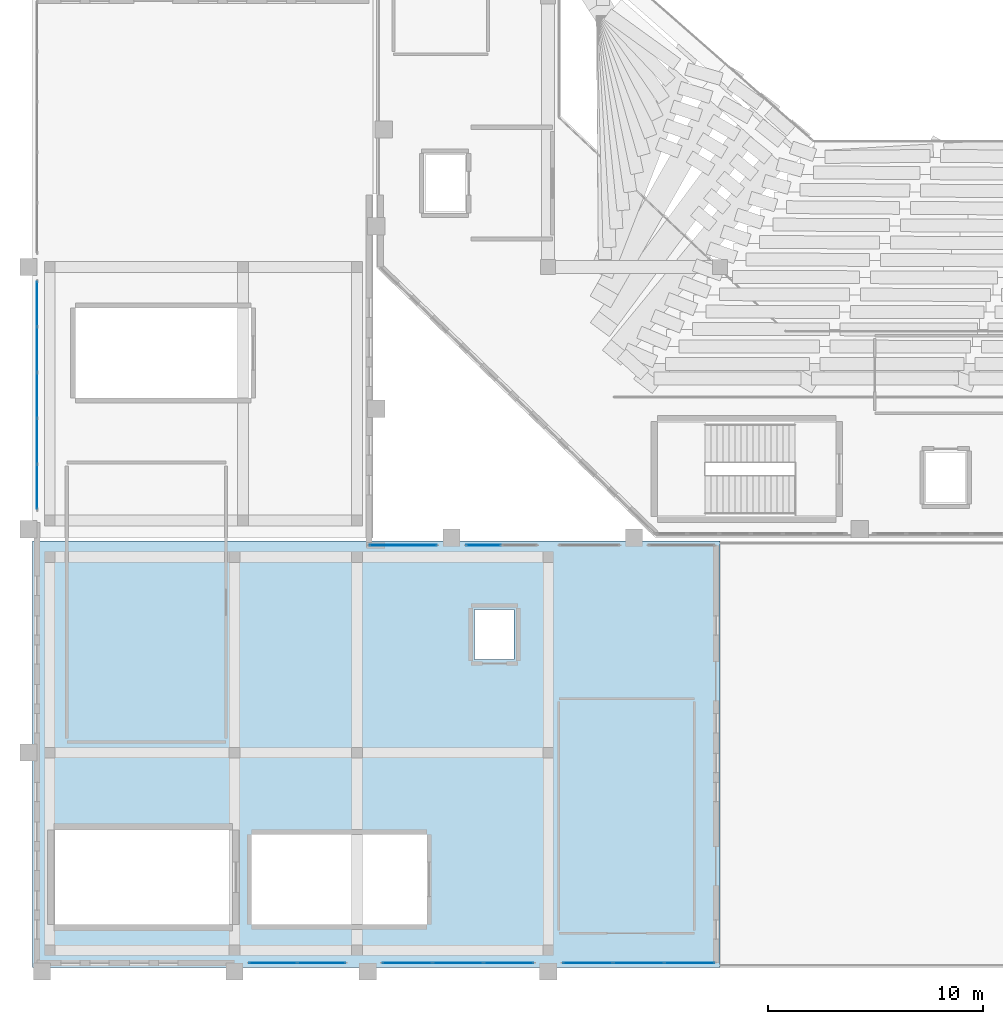
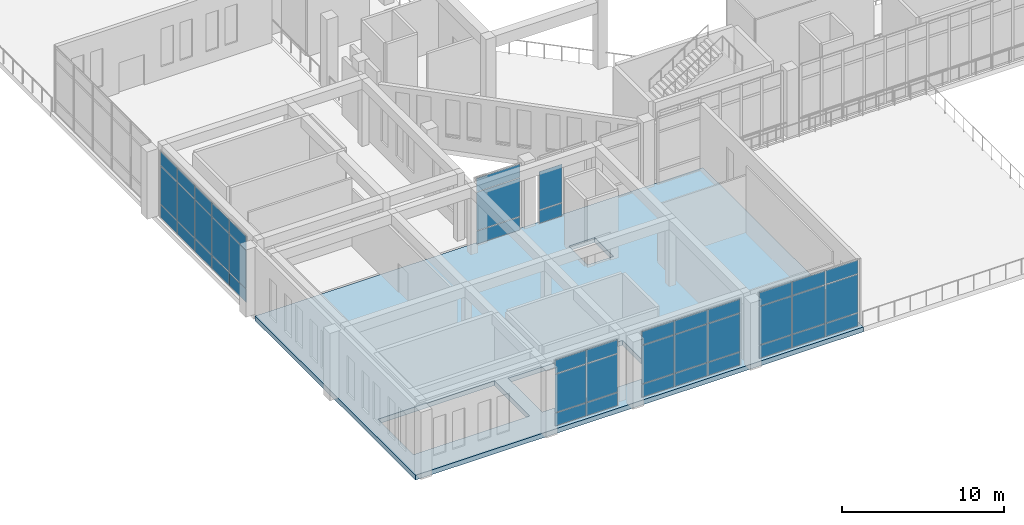
# One storey, part 30 of 55: 44 plates, 1 slab, 6 elements without a shape of their own.
"""IFC4 building model written with IfcOpenShell, lengths in metres."""

import ifcopenshell
import ifcopenshell.guid

model = None  # the IFC model being written
_history = None  # IfcOwnerHistory: only IFC2X3 demands one
_inside = {}  # id of a spatial element -> (the spatial element, [elements in it])
_under = {}  # id of a project, library or spatial element -> (it, [spatial elements below it])
_declared = {}  # id of a project -> (the project, [libraries it declares])
_typed = {}  # id of a type object -> (the type object, [elements of that type])
_made_of = {}  # id of a material, layer set ... -> (it, [elements and type objects made of it])


def new_model(schema):
    """Start an empty IFC model of exactly this schema.

    Asked for "IFC4X3", IfcOpenShell would pick the latest addendum, in which some entities
    have other attributes; the version numbers below select the first issue.
    IFC2X3 requires an IfcOwnerHistory on every rooted entity: one is made here for all.
    """
    global model, _history
    if schema == "IFC4X3":
        model = ifcopenshell.file(schema_version=(4, 3, 0, 0))
    else:
        model = ifcopenshell.file(schema=schema)
    _inside.clear()
    _under.clear()
    _declared.clear()
    _typed.clear()
    _made_of.clear()
    _history = None
    if model.schema == "IFC2X3":
        org = make("IfcOrganization", Name="unknown")
        user = make(
            "IfcPersonAndOrganization",
            ThePerson=make("IfcPerson", FamilyName="unknown"),
            TheOrganization=org,
        )
        app = make(
            "IfcApplication",
            ApplicationDeveloper=org,
            Version="unknown",
            ApplicationFullName="unknown",
            ApplicationIdentifier="unknown",
        )
        _history = make(
            "IfcOwnerHistory",
            OwningUser=user,
            OwningApplication=app,
            ChangeAction="ADDED",
            CreationDate=0,
        )
    return model


def make(cls, **values):
    """One entity of the class cls with the attributes given. An attribute that is None is left unset."""
    return model.create_entity(
        cls, **{name: value for name, value in values.items() if value is not None}
    )


def rooted(cls, **values):
    """An entity with a GlobalId (a new one), such as an element, a storey or a relation."""
    return make(cls, GlobalId=ifcopenshell.guid.new(), OwnerHistory=_history, **values)


def si_unit(unit_type, name, prefix=None):
    """IfcSIUnit, for example si_unit("LENGTHUNIT", "METRE", prefix="MILLI")."""
    return make("IfcSIUnit", UnitType=unit_type, Prefix=prefix, Name=name)


def derived_unit(unit_type, elements):
    """IfcDerivedUnit: a product of units, each with its exponent."""
    return make(
        "IfcDerivedUnit",
        Elements=[
            make("IfcDerivedUnitElement", Unit=unit, Exponent=power)
            for unit, power in elements
        ],
        UnitType=unit_type,
    )


def assignment(units):
    """IfcUnitAssignment: the units of a project."""
    return None if units is None else make("IfcUnitAssignment", Units=units)


def point(xyz):
    """IfcCartesianPoint."""
    return None if xyz is None else make("IfcCartesianPoint", Coordinates=xyz)


def direction(xyz):
    """IfcDirection."""
    return None if xyz is None else make("IfcDirection", DirectionRatios=xyz)


def frame(location, z_axis=None, x_axis=None):
    """IfcAxis2Placement3D, a coordinate frame: its origin and axes. An axis left out is left unset."""
    return make(
        "IfcAxis2Placement3D",
        Location=point(location),
        Axis=direction(z_axis),
        RefDirection=direction(x_axis),
    )


def frame_2d(location, x_axis=None):
    """IfcAxis2Placement2D, a coordinate frame in the plane: its origin and x axis."""
    return make(
        "IfcAxis2Placement2D", Location=point(location), RefDirection=direction(x_axis)
    )


def origin():
    """The frame at (0, 0, 0) with its axes left unset."""
    return frame((0.0, 0.0, 0.0))


def origin_2d():
    """The frame at (0, 0) in the plane with its x axis left unset."""
    return frame_2d((0.0, 0.0))


def place(relative_to, where):
    """IfcLocalPlacement: puts the frame where relative to a parent placement (None: the world)."""
    return make(
        "IfcLocalPlacement", PlacementRelTo=relative_to, RelativePlacement=where
    )


def context(
    kind, dimensions, precision=None, world=None, true_north=None, identifier=None
):
    """IfcGeometricRepresentationContext, for example the 3D "Model" context."""
    return make(
        "IfcGeometricRepresentationContext",
        ContextIdentifier=identifier,
        ContextType=kind,
        CoordinateSpaceDimension=dimensions,
        Precision=precision,
        WorldCoordinateSystem=world,
        TrueNorth=true_north,
    )


def subcontext(parent, identifier, kind, view, scale=None):
    """IfcGeometricRepresentationSubContext, for example "Body" below "Model"."""
    return make(
        "IfcGeometricRepresentationSubContext",
        ContextIdentifier=identifier,
        ContextType=kind,
        ParentContext=parent,
        TargetScale=scale,
        TargetView=view,
    )


def project(units=None, contexts=None):
    """IfcProject with its units and contexts."""
    return rooted(
        "IfcProject",
        Name="project",
        RepresentationContexts=contexts,
        UnitsInContext=assignment(units),
    )


def spatial(cls, under=None, at=None, **own):
    """A site, building, storey or space (cls), placed at a placement, below another one or the project."""
    s = rooted(cls, ObjectPlacement=at, **own)
    if under is not None:
        _under.setdefault(under.id(), (under, []))[1].append(s)
    return s


def polyline(points):
    """IfcPolyline through the points."""
    return make("IfcPolyline", Points=[point(p) for p in points])


def profile(cls, at=None, kind="AREA", **sizes):
    """A parametric profile (cls). Its sizes go by their IFC names, for example OverallWidth=200.0."""
    return make(cls, ProfileType=kind, Position=at, **sizes)


def rectangle(**sizes):
    """IfcRectangleProfileDef."""
    return profile("IfcRectangleProfileDef", **sizes)


def outline(outer, holes=None, kind="AREA"):
    """IfcArbitraryClosedProfileDef: a profile drawn as a closed curve; with holes, ...WithVoids."""
    if holes is None:
        return make("IfcArbitraryClosedProfileDef", ProfileType=kind, OuterCurve=outer)
    return make(
        "IfcArbitraryProfileDefWithVoids",
        ProfileType=kind,
        OuterCurve=outer,
        InnerCurves=holes,
    )


def extrude(swept, where, along, depth):
    """IfcExtrudedAreaSolid: the profile swept, set in the frame where, extruded along a direction by depth."""
    return make(
        "IfcExtrudedAreaSolid",
        SweptArea=swept,
        Position=where,
        ExtrudedDirection=direction(along),
        Depth=depth,
    )


def shape(context_of_items, identifier, shape_type, items):
    """IfcShapeRepresentation: the items that make up one representation, for example the "Body"."""
    return make(
        "IfcShapeRepresentation",
        ContextOfItems=context_of_items,
        RepresentationIdentifier=identifier,
        RepresentationType=shape_type,
        Items=items,
    )


def material(Name=None, Category=None):
    """IfcMaterial."""
    return make("IfcMaterial", Name=Name, Category=Category)


def layer(
    of_material, thickness, ventilated=None, Name=None, Category=None, Priority=None
):
    """IfcMaterialLayer: one layer of a wall or slab, of a material (None: an air gap)."""
    return make(
        "IfcMaterialLayer",
        Material=of_material,
        LayerThickness=thickness,
        IsVentilated=ventilated,
        Name=Name,
        Category=Category,
        Priority=Priority,
    )


def layer_set(layers, Name=None):
    """IfcMaterialLayerSet."""
    return make("IfcMaterialLayerSet", MaterialLayers=layers, LayerSetName=Name)


def made_of(thing, what):
    """Note that an element or type object is made of a material, layer set ...; save() writes the relation."""
    if what is not None:
        _made_of.setdefault(what.id(), (what, []))[1].append(thing)
    return thing


def type_object(cls, material=None, **own):
    """A type object (cls), such as IfcWallType, which elements share."""
    return made_of(rooted(cls, **own), material)


def element(
    cls,
    number,
    at=None,
    inside=None,
    cuts=None,
    type_object=None,
    material=None,
    context=None,
    identifier="Body",
    shape_type=None,
    held_by="IfcProductDefinitionShape",
    body=None,
    shapes=None,
    **own,
):
    """One element of the class cls, such as IfcWall. Its Tag is "e" and its number.

    at: its placement. inside: the storey or other place that contains it. cuts: it is an
    opening in that element (IfcRelVoidsElement). A single representation is given by context,
    identifier, shape_type and body (its items); several are given by shapes. held_by: the class
    of the entity that holds the representations. save() writes the other relations.
    """
    e = rooted(cls, Tag="e%d" % number, ObjectPlacement=at, **own)
    if body is not None:
        shapes = [shape(context, identifier, shape_type, body)]
    if shapes is not None:
        e.Representation = make(held_by, Representations=shapes)
    if inside is not None:
        _inside.setdefault(inside.id(), (inside, []))[1].append(e)
    if cuts is not None:
        rooted(
            "IfcRelVoidsElement", RelatingBuildingElement=cuts, RelatedOpeningElement=e
        )
    if type_object is not None:
        _typed.setdefault(type_object.id(), (type_object, []))[1].append(e)
    return made_of(e, material)


def aggregate(whole, parts):
    """IfcRelAggregates: a whole, such as a stair, and the parts it consists of."""
    return rooted("IfcRelAggregates", RelatingObject=whole, RelatedObjects=parts)


def save(model, path):
    """Write the relations noted so far, then the file.

    IfcRelAggregates (storeys below a building ...), IfcRelContainedInSpatialStructure (elements
    in a storey), IfcRelDefinesByType, IfcRelAssociatesMaterial and IfcRelDeclares: one each for
    every whole, place, type object, material and project.
    """
    for whole, parts in _under.values():
        aggregate(whole, parts)
    for where, things in _inside.values():
        rooted(
            "IfcRelContainedInSpatialStructure",
            RelatedElements=things,
            RelatingStructure=where,
        )
    for kind, things in _typed.values():
        rooted("IfcRelDefinesByType", RelatedObjects=things, RelatingType=kind)
    for what, things in _made_of.values():
        rooted("IfcRelAssociatesMaterial", RelatedObjects=things, RelatingMaterial=what)
    for by, libraries in _declared.values():
        rooted("IfcRelDeclares", RelatingContext=by, RelatedDefinitions=libraries)
    model.write(path)


model = new_model("IFC4")

# Units and contexts
model_context = context("Model", 3, precision=1e-05, world=origin(), true_north=direction((0.0, 1.0)))
body_context = subcontext(model_context, "Body", "Model", "MODEL_VIEW")
ifc_project = project(units=[si_unit("LENGTHUNIT", "METRE"), si_unit("AREAUNIT", "SQUARE_METRE"), si_unit("VOLUMEUNIT", "CUBIC_METRE"), si_unit("PLANEANGLEUNIT", "RADIAN"), si_unit("MASSUNIT", "GRAM", prefix="KILO"), derived_unit("THERMALTRANSMITTANCEUNIT", [(si_unit("MASSUNIT", "GRAM", prefix="KILO"), 1), (si_unit("TIMEUNIT", "SECOND"), -3), (si_unit("THERMODYNAMICTEMPERATUREUNIT", "KELVIN"), -1)])], contexts=[model_context])

# Site, building, storey
site_placement = place(None, origin())
site = spatial("IfcSite", under=ifc_project, at=site_placement, CompositionType="ELEMENT")
building_placement = place(site_placement, origin())
building = spatial("IfcBuilding", under=site, at=building_placement, Name="Valcora Ridge Arena", CompositionType="ELEMENT")
storey_placement = place(building_placement, frame((0.0, 0.0, 21.0)))
storey = spatial("IfcBuildingStorey", under=building, at=storey_placement, Name="L04", CompositionType="ELEMENT", Elevation=21.0)

# Curtain wall, plates
ifc_material_1 = material(Name="Anodised dark bronze architectural aluminium 6063-T6", Category="aluminium")
ifc_layer_1 = layer(ifc_material_1, 0.14990234375, Name="Anodised dark bronze architectural aluminium 6063-T6")
ifc_layer_set_1 = layer_set([ifc_layer_1], Name="Anodised dark bronze architectural aluminium 6063-T6")
curtain_wall_type_1 = type_object("IfcCurtainWallType", Name="TY-CURTAINWALL-CW-V4-CLUB-034X51", PredefinedType="NOTDEFINED", material=ifc_layer_set_1)
curtain_wall_1_placement = place(storey_placement, origin())
curtain_wall_1 = element("IfcCurtainWall", 1, at=curtain_wall_1_placement, inside=storey, type_object=curtain_wall_type_1, Name="CW-V4-CLUB-034X51 CW-0301", PredefinedType="NOTDEFINED")
ifc_material_2 = material(Name="Low-iron solar-control double glazing SHGC 0.28", Category="glass")
ifc_layer_2 = layer(ifc_material_2, 0.028076171875, Name="Low-iron solar-control double glazing SHGC 0.28")
ifc_layer_set_2 = layer_set([ifc_layer_2], Name="Low-iron solar-control double glazing SHGC 0.28")
plate_type_1 = type_object("IfcPlateType", Name="TY-PLT-CWP-1610X0975", PredefinedType="CURTAIN_PANEL", material=ifc_layer_set_2)
plate_1_placement = place(storey_placement, frame((20.9951171875, 19.64990234375, 0.050048828125), z_axis=(0.0, 0.0, 1.0), x_axis=(1.0, 0.0, 0.0)))
plate_1 = element("IfcPlate", 2, at=plate_1_placement, type_object=plate_type_1, Name="CW-0301/P00-00", PredefinedType="CURTAIN_PANEL", context=body_context, shape_type="SweptSolid", body=[
    extrude(rectangle(XDim=1.610107421875, YDim=0.028076171875, at=origin_2d()), origin(), (0.0, 0.0, 1.0), 0.97509765625),
])
ifc_layer_3 = layer(ifc_material_2, 0.028076171875, Name="Low-iron solar-control double glazing SHGC 0.28")
ifc_layer_set_3 = layer_set([ifc_layer_3], Name="Low-iron solar-control double glazing SHGC 0.28")
plate_type_2 = type_object("IfcPlateType", Name="TY-PLT-CWP-1610X2880", PredefinedType="CURTAIN_PANEL", material=ifc_layer_set_3)
plate_2_placement = place(storey_placement, frame((20.9951171875, 19.64990234375, 1.074951171875), z_axis=(0.0, 0.0, 1.0), x_axis=(1.0, 0.0, 0.0)))
plate_2 = element("IfcPlate", 3, at=plate_2_placement, type_object=plate_type_2, Name="CW-0301/P00-01", PredefinedType="CURTAIN_PANEL", context=body_context, shape_type="SweptSolid", body=[
    extrude(rectangle(XDim=1.610107421875, YDim=0.028076171875, at=origin_2d()), origin(), (0.0, 0.0, 1.0), 2.8798828125),
])
aggregate(curtain_wall_1, [plate_1, plate_2])

ifc_layer_4 = layer(ifc_material_1, 0.14990234375, Name="Anodised dark bronze architectural aluminium 6063-T6")
ifc_layer_set_4 = layer_set([ifc_layer_4], Name="Anodised dark bronze architectural aluminium 6063-T6")
curtain_wall_type_2 = type_object("IfcCurtainWallType", Name="TY-CURTAINWALL-CW-V4-CLUB-107X51", PredefinedType="NOTDEFINED", material=ifc_layer_set_4)
curtain_wall_2_placement = place(storey_placement, origin())
curtain_wall_2 = element("IfcCurtainWall", 4, at=curtain_wall_2_placement, inside=storey, type_object=curtain_wall_type_2, Name="CW-V4-CLUB-107X51 CW-0304", PredefinedType="NOTDEFINED")
ifc_layer_5 = layer(ifc_material_2, 0.028076171875, Name="Low-iron solar-control double glazing SHGC 0.28")
ifc_layer_set_5 = layer_set([ifc_layer_5], Name="Low-iron solar-control double glazing SHGC 0.28")
plate_type_3 = type_object("IfcPlateType", Name="TY-PLT-CWP-2059X0975", PredefinedType="CURTAIN_PANEL", material=ifc_layer_set_5)
plate_3_placement = place(storey_placement, frame((0.219970703125, 22.369384765625, 0.050048828125), z_axis=(0.0, 0.0, 1.0), x_axis=(0.0, 1.0, 0.0)))
plate_3 = element("IfcPlate", 5, at=plate_3_placement, type_object=plate_type_3, Name="CW-0304/P00-00", PredefinedType="CURTAIN_PANEL", context=body_context, shape_type="SweptSolid", body=[
    extrude(rectangle(XDim=2.05908203125, YDim=0.028076171875, at=origin_2d()), origin(), (0.0, 0.0, 1.0), 0.97509765625),
])
plate_4_placement = place(storey_placement, frame((0.219970703125, 30.880615234375, 0.050048828125), z_axis=(0.0, 0.0, 1.0), x_axis=(0.0, 1.0, 0.0)))
plate_4 = element("IfcPlate", 6, at=plate_4_placement, type_object=plate_type_3, Name="CW-0304/P04-00", PredefinedType="CURTAIN_PANEL", context=body_context, shape_type="SweptSolid", body=[
    extrude(rectangle(XDim=2.05908203125, YDim=0.028076171875, at=origin_2d()), origin(), (0.0, 0.0, 1.0), 0.97509765625),
])
ifc_layer_6 = layer(ifc_material_2, 0.028076171875, Name="Low-iron solar-control double glazing SHGC 0.28")
ifc_layer_set_6 = layer_set([ifc_layer_6], Name="Low-iron solar-control double glazing SHGC 0.28")
plate_type_4 = type_object("IfcPlateType", Name="TY-PLT-CWP-2059X1025", PredefinedType="CURTAIN_PANEL", material=ifc_layer_set_6)
plate_5_placement = place(storey_placement, frame((0.219970703125, 22.369384765625, 4.005126953125), z_axis=(0.0, 0.0, 1.0), x_axis=(0.0, 1.0, 0.0)))
plate_5 = element("IfcPlate", 7, at=plate_5_placement, type_object=plate_type_4, Name="CW-0304/P00-02", PredefinedType="CURTAIN_PANEL", context=body_context, shape_type="SweptSolid", body=[
    extrude(rectangle(XDim=2.05908203125, YDim=0.028076171875, at=origin_2d()), origin(), (0.0, 0.0, 1.0), 1.02490234375),
])
plate_6_placement = place(storey_placement, frame((0.219970703125, 30.880615234375, 4.005126953125), z_axis=(0.0, 0.0, 1.0), x_axis=(0.0, 1.0, 0.0)))
plate_6 = element("IfcPlate", 8, at=plate_6_placement, type_object=plate_type_4, Name="CW-0304/P04-02", PredefinedType="CURTAIN_PANEL", context=body_context, shape_type="SweptSolid", body=[
    extrude(rectangle(XDim=2.05908203125, YDim=0.028076171875, at=origin_2d()), origin(), (0.0, 0.0, 1.0), 1.02490234375),
])
ifc_layer_7 = layer(ifc_material_2, 0.028076171875, Name="Low-iron solar-control double glazing SHGC 0.28")
ifc_layer_set_7 = layer_set([ifc_layer_7], Name="Low-iron solar-control double glazing SHGC 0.28")
plate_type_5 = type_object("IfcPlateType", Name="TY-PLT-CWP-2059X2880", PredefinedType="CURTAIN_PANEL", material=ifc_layer_set_7)
plate_7_placement = place(storey_placement, frame((0.219970703125, 22.369384765625, 1.074951171875), z_axis=(0.0, 0.0, 1.0), x_axis=(0.0, 1.0, 0.0)))
plate_7 = element("IfcPlate", 9, at=plate_7_placement, type_object=plate_type_5, Name="CW-0304/P00-01", PredefinedType="CURTAIN_PANEL", context=body_context, shape_type="SweptSolid", body=[
    extrude(rectangle(XDim=2.05908203125, YDim=0.028076171875, at=origin_2d()), origin(), (0.0, 0.0, 1.0), 2.8798828125),
])
plate_8_placement = place(storey_placement, frame((0.219970703125, 30.880615234375, 1.074951171875), z_axis=(0.0, 0.0, 1.0), x_axis=(0.0, 1.0, 0.0)))
plate_8 = element("IfcPlate", 10, at=plate_8_placement, type_object=plate_type_5, Name="CW-0304/P04-01", PredefinedType="CURTAIN_PANEL", context=body_context, shape_type="SweptSolid", body=[
    extrude(rectangle(XDim=2.05908203125, YDim=0.028076171875, at=origin_2d()), origin(), (0.0, 0.0, 1.0), 2.8798828125),
])
ifc_layer_8 = layer(ifc_material_2, 0.028076171875, Name="Low-iron solar-control double glazing SHGC 0.28")
ifc_layer_set_8 = layer_set([ifc_layer_8], Name="Low-iron solar-control double glazing SHGC 0.28")
plate_type_6 = type_object("IfcPlateType", Name="TY-PLT-CWP-2084X0975", PredefinedType="CURTAIN_PANEL", material=ifc_layer_set_8)
plate_9_placement = place(storey_placement, frame((0.219970703125, 24.490966796875, 0.050048828125), z_axis=(0.0, 0.0, 1.0), x_axis=(0.0, 1.0, 0.0)))
plate_9 = element("IfcPlate", 11, at=plate_9_placement, type_object=plate_type_6, Name="CW-0304/P01-00", PredefinedType="CURTAIN_PANEL", context=body_context, shape_type="SweptSolid", body=[
    extrude(rectangle(XDim=2.083984375, YDim=0.028076171875, at=origin_2d()), origin(), (0.0, 0.0, 1.0), 0.97509765625),
])
plate_10_placement = place(storey_placement, frame((0.219970703125, 26.625, 0.050048828125), z_axis=(0.0, 0.0, 1.0), x_axis=(0.0, 1.0, 0.0)))
plate_10 = element("IfcPlate", 12, at=plate_10_placement, type_object=plate_type_6, Name="CW-0304/P02-00", PredefinedType="CURTAIN_PANEL", context=body_context, shape_type="SweptSolid", body=[
    extrude(rectangle(XDim=2.083984375, YDim=0.028076171875, at=origin_2d()), origin(), (0.0, 0.0, 1.0), 0.97509765625),
])
plate_11_placement = place(storey_placement, frame((0.219970703125, 28.759033203125, 0.050048828125), z_axis=(0.0, 0.0, 1.0), x_axis=(0.0, 1.0, 0.0)))
plate_11 = element("IfcPlate", 13, at=plate_11_placement, type_object=plate_type_6, Name="CW-0304/P03-00", PredefinedType="CURTAIN_PANEL", context=body_context, shape_type="SweptSolid", body=[
    extrude(rectangle(XDim=2.083984375, YDim=0.028076171875, at=origin_2d()), origin(), (0.0, 0.0, 1.0), 0.97509765625),
])
ifc_layer_9 = layer(ifc_material_2, 0.028076171875, Name="Low-iron solar-control double glazing SHGC 0.28")
ifc_layer_set_9 = layer_set([ifc_layer_9], Name="Low-iron solar-control double glazing SHGC 0.28")
plate_type_7 = type_object("IfcPlateType", Name="TY-PLT-CWP-2084X1025", PredefinedType="CURTAIN_PANEL", material=ifc_layer_set_9)
plate_12_placement = place(storey_placement, frame((0.219970703125, 24.490966796875, 4.005126953125), z_axis=(0.0, 0.0, 1.0), x_axis=(0.0, 1.0, 0.0)))
plate_12 = element("IfcPlate", 14, at=plate_12_placement, type_object=plate_type_7, Name="CW-0304/P01-02", PredefinedType="CURTAIN_PANEL", context=body_context, shape_type="SweptSolid", body=[
    extrude(rectangle(XDim=2.083984375, YDim=0.028076171875, at=origin_2d()), origin(), (0.0, 0.0, 1.0), 1.02490234375),
])
plate_13_placement = place(storey_placement, frame((0.219970703125, 26.625, 4.005126953125), z_axis=(0.0, 0.0, 1.0), x_axis=(0.0, 1.0, 0.0)))
plate_13 = element("IfcPlate", 15, at=plate_13_placement, type_object=plate_type_7, Name="CW-0304/P02-02", PredefinedType="CURTAIN_PANEL", context=body_context, shape_type="SweptSolid", body=[
    extrude(rectangle(XDim=2.083984375, YDim=0.028076171875, at=origin_2d()), origin(), (0.0, 0.0, 1.0), 1.02490234375),
])
plate_14_placement = place(storey_placement, frame((0.219970703125, 28.759033203125, 4.005126953125), z_axis=(0.0, 0.0, 1.0), x_axis=(0.0, 1.0, 0.0)))
plate_14 = element("IfcPlate", 16, at=plate_14_placement, type_object=plate_type_7, Name="CW-0304/P03-02", PredefinedType="CURTAIN_PANEL", context=body_context, shape_type="SweptSolid", body=[
    extrude(rectangle(XDim=2.083984375, YDim=0.028076171875, at=origin_2d()), origin(), (0.0, 0.0, 1.0), 1.02490234375),
])
ifc_layer_10 = layer(ifc_material_2, 0.028076171875, Name="Low-iron solar-control double glazing SHGC 0.28")
ifc_layer_set_10 = layer_set([ifc_layer_10], Name="Low-iron solar-control double glazing SHGC 0.28")
plate_type_8 = type_object("IfcPlateType", Name="TY-PLT-CWP-2084X2880", PredefinedType="CURTAIN_PANEL", material=ifc_layer_set_10)
plate_15_placement = place(storey_placement, frame((0.219970703125, 24.490966796875, 1.074951171875), z_axis=(0.0, 0.0, 1.0), x_axis=(0.0, 1.0, 0.0)))
plate_15 = element("IfcPlate", 17, at=plate_15_placement, type_object=plate_type_8, Name="CW-0304/P01-01", PredefinedType="CURTAIN_PANEL", context=body_context, shape_type="SweptSolid", body=[
    extrude(rectangle(XDim=2.083984375, YDim=0.028076171875, at=origin_2d()), origin(), (0.0, 0.0, 1.0), 2.8798828125),
])
plate_16_placement = place(storey_placement, frame((0.219970703125, 26.625, 1.074951171875), z_axis=(0.0, 0.0, 1.0), x_axis=(0.0, 1.0, 0.0)))
plate_16 = element("IfcPlate", 18, at=plate_16_placement, type_object=plate_type_8, Name="CW-0304/P02-01", PredefinedType="CURTAIN_PANEL", context=body_context, shape_type="SweptSolid", body=[
    extrude(rectangle(XDim=2.083984375, YDim=0.028076171875, at=origin_2d()), origin(), (0.0, 0.0, 1.0), 2.8798828125),
])
plate_17_placement = place(storey_placement, frame((0.219970703125, 28.759033203125, 1.074951171875), z_axis=(0.0, 0.0, 1.0), x_axis=(0.0, 1.0, 0.0)))
plate_17 = element("IfcPlate", 19, at=plate_17_placement, type_object=plate_type_8, Name="CW-0304/P03-01", PredefinedType="CURTAIN_PANEL", context=body_context, shape_type="SweptSolid", body=[
    extrude(rectangle(XDim=2.083984375, YDim=0.028076171875, at=origin_2d()), origin(), (0.0, 0.0, 1.0), 2.8798828125),
])
aggregate(curtain_wall_2, [plate_3, plate_7, plate_5, plate_9, plate_15, plate_12, plate_10, plate_16, plate_13, plate_11, plate_17, plate_14, plate_4, plate_8, plate_6])

ifc_layer_11 = layer(ifc_material_1, 0.14990234375, Name="Anodised dark bronze architectural aluminium 6063-T6")
ifc_layer_set_11 = layer_set([ifc_layer_11], Name="Anodised dark bronze architectural aluminium 6063-T6")
curtain_wall_type_3 = type_object("IfcCurtainWallType", Name="TY-CURTAINWALL-CW-V4-CLUB-046X51", PredefinedType="NOTDEFINED", material=ifc_layer_set_11)
curtain_wall_3_placement = place(storey_placement, origin())
curtain_wall_3 = element("IfcCurtainWall", 20, at=curtain_wall_3_placement, inside=storey, type_object=curtain_wall_type_3, Name="CW-V4-CLUB-046X51 CW-0297", PredefinedType="NOTDEFINED")
ifc_layer_12 = layer(ifc_material_2, 0.028076171875, Name="Low-iron solar-control double glazing SHGC 0.28")
ifc_layer_set_12 = layer_set([ifc_layer_12], Name="Low-iron solar-control double glazing SHGC 0.28")
plate_type_9 = type_object("IfcPlateType", Name="TY-PLT-CWP-2210X0975", PredefinedType="CURTAIN_PANEL", material=ifc_layer_set_12)
plate_18_placement = place(storey_placement, frame((11.195068359375, 0.219970703125, 0.050048828125), z_axis=(0.0, 0.0, 1.0), x_axis=(1.0, 0.0, 0.0)))
plate_18 = element("IfcPlate", 21, at=plate_18_placement, type_object=plate_type_9, Name="CW-0297/P00-00", PredefinedType="CURTAIN_PANEL", context=body_context, shape_type="SweptSolid", body=[
    extrude(rectangle(XDim=2.2099609375, YDim=0.028076171875, at=origin_2d()), origin(), (0.0, 0.0, 1.0), 0.97509765625),
])
plate_19_placement = place(storey_placement, frame((13.455078125, 0.219970703125, 0.050048828125), z_axis=(0.0, 0.0, 1.0), x_axis=(1.0, 0.0, 0.0)))
plate_19 = element("IfcPlate", 22, at=plate_19_placement, type_object=plate_type_9, Name="CW-0297/P01-00", PredefinedType="CURTAIN_PANEL", context=body_context, shape_type="SweptSolid", body=[
    extrude(rectangle(XDim=2.2099609375, YDim=0.028076171875, at=origin_2d()), origin(), (0.0, 0.0, 1.0), 0.97509765625),
])
ifc_layer_13 = layer(ifc_material_2, 0.028076171875, Name="Low-iron solar-control double glazing SHGC 0.28")
ifc_layer_set_13 = layer_set([ifc_layer_13], Name="Low-iron solar-control double glazing SHGC 0.28")
plate_type_10 = type_object("IfcPlateType", Name="TY-PLT-CWP-2210X1025", PredefinedType="CURTAIN_PANEL", material=ifc_layer_set_13)
plate_20_placement = place(storey_placement, frame((11.195068359375, 0.219970703125, 4.005126953125), z_axis=(0.0, 0.0, 1.0), x_axis=(1.0, 0.0, 0.0)))
plate_20 = element("IfcPlate", 23, at=plate_20_placement, type_object=plate_type_10, Name="CW-0297/P00-02", PredefinedType="CURTAIN_PANEL", context=body_context, shape_type="SweptSolid", body=[
    extrude(rectangle(XDim=2.2099609375, YDim=0.028076171875, at=origin_2d()), origin(), (0.0, 0.0, 1.0), 1.02490234375),
])
plate_21_placement = place(storey_placement, frame((13.455078125, 0.219970703125, 4.005126953125), z_axis=(0.0, 0.0, 1.0), x_axis=(1.0, 0.0, 0.0)))
plate_21 = element("IfcPlate", 24, at=plate_21_placement, type_object=plate_type_10, Name="CW-0297/P01-02", PredefinedType="CURTAIN_PANEL", context=body_context, shape_type="SweptSolid", body=[
    extrude(rectangle(XDim=2.2099609375, YDim=0.028076171875, at=origin_2d()), origin(), (0.0, 0.0, 1.0), 1.02490234375),
])
ifc_layer_14 = layer(ifc_material_2, 0.028076171875, Name="Low-iron solar-control double glazing SHGC 0.28")
ifc_layer_set_14 = layer_set([ifc_layer_14], Name="Low-iron solar-control double glazing SHGC 0.28")
plate_type_11 = type_object("IfcPlateType", Name="TY-PLT-CWP-2210X2880", PredefinedType="CURTAIN_PANEL", material=ifc_layer_set_14)
plate_22_placement = place(storey_placement, frame((11.195068359375, 0.219970703125, 1.074951171875), z_axis=(0.0, 0.0, 1.0), x_axis=(1.0, 0.0, 0.0)))
plate_22 = element("IfcPlate", 25, at=plate_22_placement, type_object=plate_type_11, Name="CW-0297/P00-01", PredefinedType="CURTAIN_PANEL", context=body_context, shape_type="SweptSolid", body=[
    extrude(rectangle(XDim=2.2099609375, YDim=0.028076171875, at=origin_2d()), origin(), (0.0, 0.0, 1.0), 2.8798828125),
])
plate_23_placement = place(storey_placement, frame((13.455078125, 0.219970703125, 1.074951171875), z_axis=(0.0, 0.0, 1.0), x_axis=(1.0, 0.0, 0.0)))
plate_23 = element("IfcPlate", 26, at=plate_23_placement, type_object=plate_type_11, Name="CW-0297/P01-01", PredefinedType="CURTAIN_PANEL", context=body_context, shape_type="SweptSolid", body=[
    extrude(rectangle(XDim=2.2099609375, YDim=0.028076171875, at=origin_2d()), origin(), (0.0, 0.0, 1.0), 2.8798828125),
])
aggregate(curtain_wall_3, [plate_18, plate_22, plate_20, plate_19, plate_23, plate_21])

ifc_layer_15 = layer(ifc_material_1, 0.14990234375, Name="Anodised dark bronze architectural aluminium 6063-T6")
ifc_layer_set_15 = layer_set([ifc_layer_15], Name="Anodised dark bronze architectural aluminium 6063-T6")
curtain_wall_type_4 = type_object("IfcCurtainWallType", Name="TY-CURTAINWALL-CW-V4-CLUB-071X51", PredefinedType="NOTDEFINED", material=ifc_layer_set_15)
curtain_wall_4_placement = place(storey_placement, origin())
curtain_wall_4 = element("IfcCurtainWall", 27, at=curtain_wall_4_placement, inside=storey, type_object=curtain_wall_type_4, Name="CW-V4-CLUB-071X51 CW-0298", PredefinedType="NOTDEFINED")
ifc_layer_16 = layer(ifc_material_2, 0.028076171875, Name="Low-iron solar-control double glazing SHGC 0.28")
ifc_layer_set_16 = layer_set([ifc_layer_16], Name="Low-iron solar-control double glazing SHGC 0.28")
plate_type_12 = type_object("IfcPlateType", Name="TY-PLT-CWP-2298X0975", PredefinedType="CURTAIN_PANEL", material=ifc_layer_set_16)
plate_24_placement = place(storey_placement, frame((17.43896484375, 0.219970703125, 0.050048828125), z_axis=(0.0, 0.0, 1.0), x_axis=(1.0, 0.0, 0.0)))
plate_24 = element("IfcPlate", 28, at=plate_24_placement, type_object=plate_type_12, Name="CW-0298/P00-00", PredefinedType="CURTAIN_PANEL", context=body_context, shape_type="SweptSolid", body=[
    extrude(rectangle(XDim=2.298095703125, YDim=0.028076171875, at=origin_2d()), origin(), (0.0, 0.0, 1.0), 0.97509765625),
])
plate_25_placement = place(storey_placement, frame((22.160888671875, 0.219970703125, 0.050048828125), z_axis=(0.0, 0.0, 1.0), x_axis=(1.0, 0.0, 0.0)))
plate_25 = element("IfcPlate", 29, at=plate_25_placement, type_object=plate_type_12, Name="CW-0298/P02-00", PredefinedType="CURTAIN_PANEL", context=body_context, shape_type="SweptSolid", body=[
    extrude(rectangle(XDim=2.298095703125, YDim=0.028076171875, at=origin_2d()), origin(), (0.0, 0.0, 1.0), 0.97509765625),
])
ifc_layer_17 = layer(ifc_material_2, 0.028076171875, Name="Low-iron solar-control double glazing SHGC 0.28")
ifc_layer_set_17 = layer_set([ifc_layer_17], Name="Low-iron solar-control double glazing SHGC 0.28")
plate_type_13 = type_object("IfcPlateType", Name="TY-PLT-CWP-2298X1025", PredefinedType="CURTAIN_PANEL", material=ifc_layer_set_17)
plate_26_placement = place(storey_placement, frame((17.43896484375, 0.219970703125, 4.005126953125), z_axis=(0.0, 0.0, 1.0), x_axis=(1.0, 0.0, 0.0)))
plate_26 = element("IfcPlate", 30, at=plate_26_placement, type_object=plate_type_13, Name="CW-0298/P00-02", PredefinedType="CURTAIN_PANEL", context=body_context, shape_type="SweptSolid", body=[
    extrude(rectangle(XDim=2.298095703125, YDim=0.028076171875, at=origin_2d()), origin(), (0.0, 0.0, 1.0), 1.02490234375),
])
plate_27_placement = place(storey_placement, frame((22.160888671875, 0.219970703125, 4.005126953125), z_axis=(0.0, 0.0, 1.0), x_axis=(1.0, 0.0, 0.0)))
plate_27 = element("IfcPlate", 31, at=plate_27_placement, type_object=plate_type_13, Name="CW-0298/P02-02", PredefinedType="CURTAIN_PANEL", context=body_context, shape_type="SweptSolid", body=[
    extrude(rectangle(XDim=2.298095703125, YDim=0.028076171875, at=origin_2d()), origin(), (0.0, 0.0, 1.0), 1.02490234375),
])
ifc_layer_18 = layer(ifc_material_2, 0.028076171875, Name="Low-iron solar-control double glazing SHGC 0.28")
ifc_layer_set_18 = layer_set([ifc_layer_18], Name="Low-iron solar-control double glazing SHGC 0.28")
plate_type_14 = type_object("IfcPlateType", Name="TY-PLT-CWP-2298X2880", PredefinedType="CURTAIN_PANEL", material=ifc_layer_set_18)
plate_28_placement = place(storey_placement, frame((17.43896484375, 0.219970703125, 1.074951171875), z_axis=(0.0, 0.0, 1.0), x_axis=(1.0, 0.0, 0.0)))
plate_28 = element("IfcPlate", 32, at=plate_28_placement, type_object=plate_type_14, Name="CW-0298/P00-01", PredefinedType="CURTAIN_PANEL", context=body_context, shape_type="SweptSolid", body=[
    extrude(rectangle(XDim=2.298095703125, YDim=0.028076171875, at=origin_2d()), origin(), (0.0, 0.0, 1.0), 2.8798828125),
])
plate_29_placement = place(storey_placement, frame((22.160888671875, 0.219970703125, 1.074951171875), z_axis=(0.0, 0.0, 1.0), x_axis=(1.0, 0.0, 0.0)))
plate_29 = element("IfcPlate", 33, at=plate_29_placement, type_object=plate_type_14, Name="CW-0298/P02-01", PredefinedType="CURTAIN_PANEL", context=body_context, shape_type="SweptSolid", body=[
    extrude(rectangle(XDim=2.298095703125, YDim=0.028076171875, at=origin_2d()), origin(), (0.0, 0.0, 1.0), 2.8798828125),
])

curtain_wall_5_placement = place(storey_placement, origin())
curtain_wall_5 = element("IfcCurtainWall", 34, at=curtain_wall_5_placement, inside=storey, type_object=curtain_wall_type_4, Name="CW-V4-CLUB-071X51 CW-0299", PredefinedType="NOTDEFINED")
ifc_layer_19 = layer(ifc_material_2, 0.028076171875, Name="Low-iron solar-control double glazing SHGC 0.28")
ifc_layer_set_19 = layer_set([ifc_layer_19], Name="Low-iron solar-control double glazing SHGC 0.28")
plate_type_15 = type_object("IfcPlateType", Name="TY-PLT-CWP-2305X0975", PredefinedType="CURTAIN_PANEL", material=ifc_layer_set_19)
plate_30_placement = place(storey_placement, frame((25.842529296875, 0.219970703125, 0.050048828125), z_axis=(0.0, 0.0, 1.0), x_axis=(1.0, 0.0, 0.0)))
plate_30 = element("IfcPlate", 35, at=plate_30_placement, type_object=plate_type_15, Name="CW-0299/P00-00", PredefinedType="CURTAIN_PANEL", context=body_context, shape_type="SweptSolid", body=[
    extrude(rectangle(XDim=2.304931640625, YDim=0.028076171875, at=origin_2d()), origin(), (0.0, 0.0, 1.0), 0.97509765625),
])
plate_31_placement = place(storey_placement, frame((30.577392578125, 0.219970703125, 0.050048828125), z_axis=(0.0, 0.0, 1.0), x_axis=(1.0, 0.0, 0.0)))
plate_31 = element("IfcPlate", 36, at=plate_31_placement, type_object=plate_type_15, Name="CW-0299/P02-00", PredefinedType="CURTAIN_PANEL", context=body_context, shape_type="SweptSolid", body=[
    extrude(rectangle(XDim=2.304931640625, YDim=0.028076171875, at=origin_2d()), origin(), (0.0, 0.0, 1.0), 0.97509765625),
])
ifc_layer_20 = layer(ifc_material_2, 0.028076171875, Name="Low-iron solar-control double glazing SHGC 0.28")
ifc_layer_set_20 = layer_set([ifc_layer_20], Name="Low-iron solar-control double glazing SHGC 0.28")
plate_type_16 = type_object("IfcPlateType", Name="TY-PLT-CWP-2305X1025", PredefinedType="CURTAIN_PANEL", material=ifc_layer_set_20)
plate_32_placement = place(storey_placement, frame((25.842529296875, 0.219970703125, 4.005126953125), z_axis=(0.0, 0.0, 1.0), x_axis=(1.0, 0.0, 0.0)))
plate_32 = element("IfcPlate", 37, at=plate_32_placement, type_object=plate_type_16, Name="CW-0299/P00-02", PredefinedType="CURTAIN_PANEL", context=body_context, shape_type="SweptSolid", body=[
    extrude(rectangle(XDim=2.304931640625, YDim=0.028076171875, at=origin_2d()), origin(), (0.0, 0.0, 1.0), 1.02490234375),
])
plate_33_placement = place(storey_placement, frame((30.577392578125, 0.219970703125, 4.005126953125), z_axis=(0.0, 0.0, 1.0), x_axis=(1.0, 0.0, 0.0)))
plate_33 = element("IfcPlate", 38, at=plate_33_placement, type_object=plate_type_16, Name="CW-0299/P02-02", PredefinedType="CURTAIN_PANEL", context=body_context, shape_type="SweptSolid", body=[
    extrude(rectangle(XDim=2.304931640625, YDim=0.028076171875, at=origin_2d()), origin(), (0.0, 0.0, 1.0), 1.02490234375),
])
ifc_layer_21 = layer(ifc_material_2, 0.028076171875, Name="Low-iron solar-control double glazing SHGC 0.28")
ifc_layer_set_21 = layer_set([ifc_layer_21], Name="Low-iron solar-control double glazing SHGC 0.28")
plate_type_17 = type_object("IfcPlateType", Name="TY-PLT-CWP-2305X2880", PredefinedType="CURTAIN_PANEL", material=ifc_layer_set_21)
plate_34_placement = place(storey_placement, frame((25.842529296875, 0.219970703125, 1.074951171875), z_axis=(0.0, 0.0, 1.0), x_axis=(1.0, 0.0, 0.0)))
plate_34 = element("IfcPlate", 39, at=plate_34_placement, type_object=plate_type_17, Name="CW-0299/P00-01", PredefinedType="CURTAIN_PANEL", context=body_context, shape_type="SweptSolid", body=[
    extrude(rectangle(XDim=2.304931640625, YDim=0.028076171875, at=origin_2d()), origin(), (0.0, 0.0, 1.0), 2.8798828125),
])
plate_35_placement = place(storey_placement, frame((30.577392578125, 0.219970703125, 1.074951171875), z_axis=(0.0, 0.0, 1.0), x_axis=(1.0, 0.0, 0.0)))
plate_35 = element("IfcPlate", 40, at=plate_35_placement, type_object=plate_type_17, Name="CW-0299/P02-01", PredefinedType="CURTAIN_PANEL", context=body_context, shape_type="SweptSolid", body=[
    extrude(rectangle(XDim=2.304931640625, YDim=0.028076171875, at=origin_2d()), origin(), (0.0, 0.0, 1.0), 2.8798828125),
])

# Plate
ifc_layer_22 = layer(ifc_material_2, 0.028076171875, Name="Low-iron solar-control double glazing SHGC 0.28")
ifc_layer_set_22 = layer_set([ifc_layer_22], Name="Low-iron solar-control double glazing SHGC 0.28")
plate_type_18 = type_object("IfcPlateType", Name="TY-PLT-CWP-2324X0975", PredefinedType="CURTAIN_PANEL", material=ifc_layer_set_22)
plate_36_placement = place(storey_placement, frame((19.800048828125, 0.219970703125, 0.050048828125), z_axis=(0.0, 0.0, 1.0), x_axis=(1.0, 0.0, 0.0)))
plate_36 = element("IfcPlate", 41, at=plate_36_placement, type_object=plate_type_18, Name="CW-0298/P01-00", PredefinedType="CURTAIN_PANEL", context=body_context, shape_type="SweptSolid", body=[
    extrude(rectangle(XDim=2.323974609375, YDim=0.028076171875, at=origin_2d()), origin(), (0.0, 0.0, 1.0), 0.97509765625),
])

ifc_layer_23 = layer(ifc_material_2, 0.028076171875, Name="Low-iron solar-control double glazing SHGC 0.28")
ifc_layer_set_23 = layer_set([ifc_layer_23], Name="Low-iron solar-control double glazing SHGC 0.28")
plate_type_19 = type_object("IfcPlateType", Name="TY-PLT-CWP-2324X1025", PredefinedType="CURTAIN_PANEL", material=ifc_layer_set_23)
plate_37_placement = place(storey_placement, frame((19.800048828125, 0.219970703125, 4.005126953125), z_axis=(0.0, 0.0, 1.0), x_axis=(1.0, 0.0, 0.0)))
plate_37 = element("IfcPlate", 42, at=plate_37_placement, type_object=plate_type_19, Name="CW-0298/P01-02", PredefinedType="CURTAIN_PANEL", context=body_context, shape_type="SweptSolid", body=[
    extrude(rectangle(XDim=2.323974609375, YDim=0.028076171875, at=origin_2d()), origin(), (0.0, 0.0, 1.0), 1.02490234375),
])

ifc_layer_24 = layer(ifc_material_2, 0.028076171875, Name="Low-iron solar-control double glazing SHGC 0.28")
ifc_layer_set_24 = layer_set([ifc_layer_24], Name="Low-iron solar-control double glazing SHGC 0.28")
plate_type_20 = type_object("IfcPlateType", Name="TY-PLT-CWP-2324X2880", PredefinedType="CURTAIN_PANEL", material=ifc_layer_set_24)
plate_38_placement = place(storey_placement, frame((19.800048828125, 0.219970703125, 1.074951171875), z_axis=(0.0, 0.0, 1.0), x_axis=(1.0, 0.0, 0.0)))
plate_38 = element("IfcPlate", 43, at=plate_38_placement, type_object=plate_type_20, Name="CW-0298/P01-01", PredefinedType="CURTAIN_PANEL", context=body_context, shape_type="SweptSolid", body=[
    extrude(rectangle(XDim=2.323974609375, YDim=0.028076171875, at=origin_2d()), origin(), (0.0, 0.0, 1.0), 2.8798828125),
])

aggregate(curtain_wall_4, [plate_24, plate_28, plate_26, plate_36, plate_38, plate_37, plate_25, plate_29, plate_27])

ifc_layer_25 = layer(ifc_material_2, 0.028076171875, Name="Low-iron solar-control double glazing SHGC 0.28")
ifc_layer_set_25 = layer_set([ifc_layer_25], Name="Low-iron solar-control double glazing SHGC 0.28")
plate_type_21 = type_object("IfcPlateType", Name="TY-PLT-CWP-2330X0975", PredefinedType="CURTAIN_PANEL", material=ifc_layer_set_25)
plate_39_placement = place(storey_placement, frame((28.2099609375, 0.219970703125, 0.050048828125), z_axis=(0.0, 0.0, 1.0), x_axis=(1.0, 0.0, 0.0)))
plate_39 = element("IfcPlate", 44, at=plate_39_placement, type_object=plate_type_21, Name="CW-0299/P01-00", PredefinedType="CURTAIN_PANEL", context=body_context, shape_type="SweptSolid", body=[
    extrude(rectangle(XDim=2.330078125, YDim=0.028076171875, at=origin_2d()), origin(), (0.0, 0.0, 1.0), 0.97509765625),
])

ifc_layer_26 = layer(ifc_material_2, 0.028076171875, Name="Low-iron solar-control double glazing SHGC 0.28")
ifc_layer_set_26 = layer_set([ifc_layer_26], Name="Low-iron solar-control double glazing SHGC 0.28")
plate_type_22 = type_object("IfcPlateType", Name="TY-PLT-CWP-2330X1025", PredefinedType="CURTAIN_PANEL", material=ifc_layer_set_26)
plate_40_placement = place(storey_placement, frame((28.2099609375, 0.219970703125, 4.005126953125), z_axis=(0.0, 0.0, 1.0), x_axis=(1.0, 0.0, 0.0)))
plate_40 = element("IfcPlate", 45, at=plate_40_placement, type_object=plate_type_22, Name="CW-0299/P01-02", PredefinedType="CURTAIN_PANEL", context=body_context, shape_type="SweptSolid", body=[
    extrude(rectangle(XDim=2.330078125, YDim=0.028076171875, at=origin_2d()), origin(), (0.0, 0.0, 1.0), 1.02490234375),
])

ifc_layer_27 = layer(ifc_material_2, 0.028076171875, Name="Low-iron solar-control double glazing SHGC 0.28")
ifc_layer_set_27 = layer_set([ifc_layer_27], Name="Low-iron solar-control double glazing SHGC 0.28")
plate_type_23 = type_object("IfcPlateType", Name="TY-PLT-CWP-2330X2880", PredefinedType="CURTAIN_PANEL", material=ifc_layer_set_27)
plate_41_placement = place(storey_placement, frame((28.2099609375, 0.219970703125, 1.074951171875), z_axis=(0.0, 0.0, 1.0), x_axis=(1.0, 0.0, 0.0)))
plate_41 = element("IfcPlate", 46, at=plate_41_placement, type_object=plate_type_23, Name="CW-0299/P01-01", PredefinedType="CURTAIN_PANEL", context=body_context, shape_type="SweptSolid", body=[
    extrude(rectangle(XDim=2.330078125, YDim=0.028076171875, at=origin_2d()), origin(), (0.0, 0.0, 1.0), 2.8798828125),
])

aggregate(curtain_wall_5, [plate_30, plate_34, plate_32, plate_39, plate_41, plate_40, plate_31, plate_35, plate_33])

# Curtain wall, plates
ifc_layer_28 = layer(ifc_material_1, 0.14990234375, Name="Anodised dark bronze architectural aluminium 6063-T6")
ifc_layer_set_28 = layer_set([ifc_layer_28], Name="Anodised dark bronze architectural aluminium 6063-T6")
curtain_wall_type_5 = type_object("IfcCurtainWallType", Name="TY-CURTAINWALL-CW-V4-CLUB-032X51", PredefinedType="NOTDEFINED", material=ifc_layer_set_28)
curtain_wall_6_placement = place(storey_placement, origin())
curtain_wall_6 = element("IfcCurtainWall", 47, at=curtain_wall_6_placement, inside=storey, type_object=curtain_wall_type_5, Name="CW-V4-CLUB-032X51 CW-0300", PredefinedType="NOTDEFINED")
ifc_layer_29 = layer(ifc_material_2, 0.028076171875, Name="Low-iron solar-control double glazing SHGC 0.28")
ifc_layer_set_29 = layer_set([ifc_layer_29], Name="Low-iron solar-control double glazing SHGC 0.28")
plate_type_24 = type_object("IfcPlateType", Name="TY-PLT-CWP-3110X0975", PredefinedType="CURTAIN_PANEL", material=ifc_layer_set_29)
plate_42_placement = place(storey_placement, frame((17.2548828125, 19.64990234375, 0.050048828125), z_axis=(0.0, 0.0, 1.0), x_axis=(1.0, 0.0, 0.0)))
plate_42 = element("IfcPlate", 48, at=plate_42_placement, type_object=plate_type_24, Name="CW-0300/P00-00", PredefinedType="CURTAIN_PANEL", context=body_context, shape_type="SweptSolid", body=[
    extrude(rectangle(XDim=3.110107421875, YDim=0.028076171875, at=origin_2d()), origin(), (0.0, 0.0, 1.0), 0.97509765625),
])
ifc_layer_30 = layer(ifc_material_2, 0.028076171875, Name="Low-iron solar-control double glazing SHGC 0.28")
ifc_layer_set_30 = layer_set([ifc_layer_30], Name="Low-iron solar-control double glazing SHGC 0.28")
plate_type_25 = type_object("IfcPlateType", Name="TY-PLT-CWP-3110X1025", PredefinedType="CURTAIN_PANEL", material=ifc_layer_set_30)
plate_43_placement = place(storey_placement, frame((17.2548828125, 19.64990234375, 4.005126953125), z_axis=(0.0, 0.0, 1.0), x_axis=(1.0, 0.0, 0.0)))
plate_43 = element("IfcPlate", 49, at=plate_43_placement, type_object=plate_type_25, Name="CW-0300/P00-02", PredefinedType="CURTAIN_PANEL", context=body_context, shape_type="SweptSolid", body=[
    extrude(rectangle(XDim=3.110107421875, YDim=0.028076171875, at=origin_2d()), origin(), (0.0, 0.0, 1.0), 1.02490234375),
])
ifc_layer_31 = layer(ifc_material_2, 0.028076171875, Name="Low-iron solar-control double glazing SHGC 0.28")
ifc_layer_set_31 = layer_set([ifc_layer_31], Name="Low-iron solar-control double glazing SHGC 0.28")
plate_type_26 = type_object("IfcPlateType", Name="TY-PLT-CWP-3110X2880", PredefinedType="CURTAIN_PANEL", material=ifc_layer_set_31)
plate_44_placement = place(storey_placement, frame((17.2548828125, 19.64990234375, 1.074951171875), z_axis=(0.0, 0.0, 1.0), x_axis=(1.0, 0.0, 0.0)))
plate_44 = element("IfcPlate", 50, at=plate_44_placement, type_object=plate_type_26, Name="CW-0300/P00-01", PredefinedType="CURTAIN_PANEL", context=body_context, shape_type="SweptSolid", body=[
    extrude(rectangle(XDim=3.110107421875, YDim=0.028076171875, at=origin_2d()), origin(), (0.0, 0.0, 1.0), 2.8798828125),
])
aggregate(curtain_wall_6, [plate_42, plate_44, plate_43])

# Slab
ifc_material_3 = material(Name="Concrete C40/50", Category="concrete")
ifc_layer_32 = layer(ifc_material_3, 0.360107421875, Name="Concrete C40/50")
ifc_layer_set_32 = layer_set([ifc_layer_32], Name="Concrete C40/50")
slab_type = type_object("IfcSlabType", Name="TY-SLAB-SL-V4-360U-P1", PredefinedType="FLOOR", material=ifc_layer_set_32)
slab_placement = place(storey_placement, frame((0.0, 0.0, -0.360107421875)))
element("IfcSlab", 51, at=slab_placement, inside=storey, type_object=slab_type, Name="SL-V4-360U-P1 SLB-0066", PredefinedType="FLOOR", context=body_context, shape_type="SweptSolid", body=[
    extrude(outline(polyline([(0.0, 19.85009765625), (0.0, 0.0), (32.0, 0.0), (32.0, 19.85009765625), (0.0, 19.85009765625)]), holes=[polyline([(10.199951171875, 2.0), (18.360107421875, 2.0), (18.360107421875, 6.199951171875), (10.199951171875, 6.199951171875), (10.199951171875, 2.0)]), polyline([(1.0, 6.39990234375), (1.0, 2.0), (9.320068359375, 2.0), (9.320068359375, 6.39990234375), (1.0, 6.39990234375)]), polyline([(20.580078125, 16.669921875), (20.580078125, 14.330078125), (22.419921875, 14.330078125), (22.419921875, 16.669921875), (20.580078125, 16.669921875)])]), origin(), (0.0, 0.0, 1.0), 0.360107421875),
])

save(model, "model.ifc")
